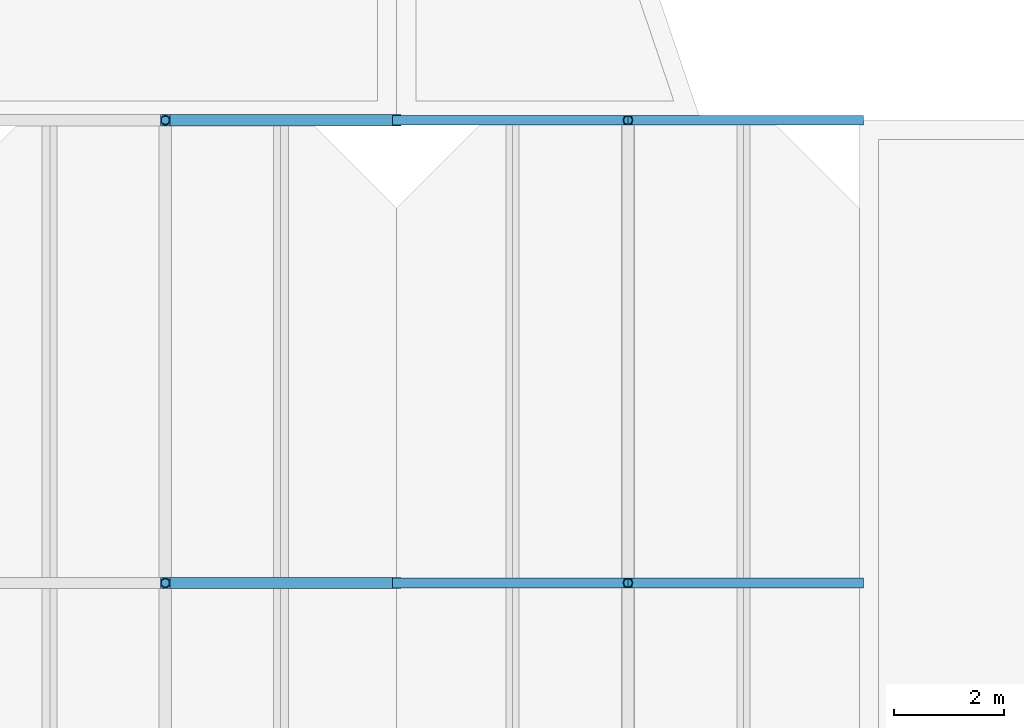
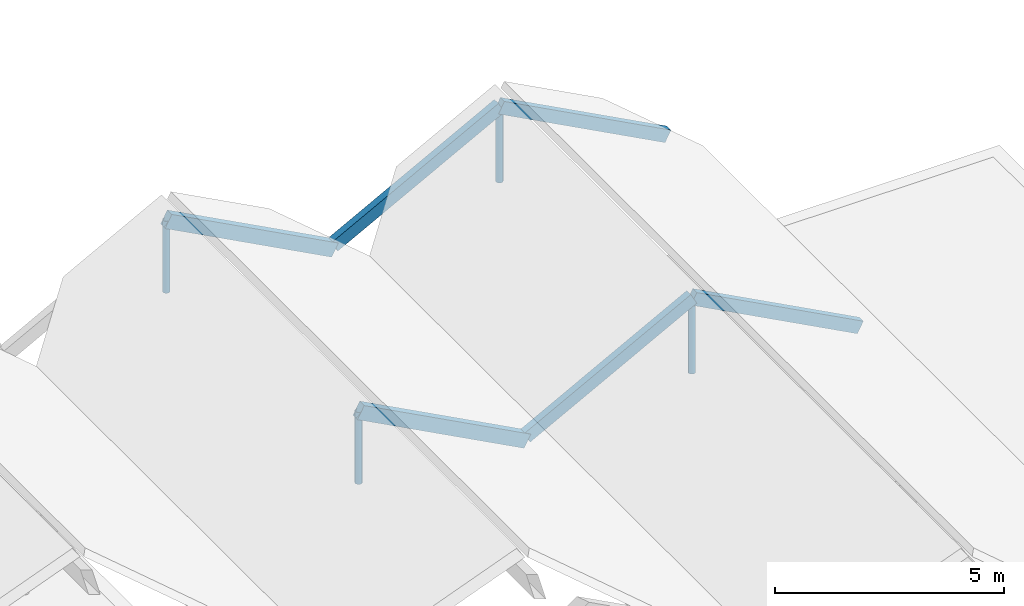
# One storey, part 32 of 82: 10 members.
"""IFC4 building model written with IfcOpenShell, lengths in metres."""

from ifc_helpers import new_model, si_unit, direction, frame, origin, origin_2d, place, context, subcontext, project, spatial, rectangle, hollow_circle, extrude, material, material_profile, profile_set, type_object, element, save


model = new_model("IFC4")

# Units and contexts
model_context = context("Model", 3, precision=1e-05, world=origin(), true_north=direction((0.0, 1.0)))
body_context = subcontext(model_context, "Body", "Model", "MODEL_VIEW")
ifc_project = project(units=[si_unit("LENGTHUNIT", "METRE"), si_unit("AREAUNIT", "SQUARE_METRE"), si_unit("VOLUMEUNIT", "CUBIC_METRE"), si_unit("PLANEANGLEUNIT", "RADIAN"), si_unit("MASSUNIT", "GRAM", prefix="KILO")], contexts=[model_context])

# Site, building, storey
site_placement = place(None, origin())
site = spatial("IfcSite", under=ifc_project, at=site_placement, CompositionType="ELEMENT")
building_placement = place(site_placement, origin())
building = spatial("IfcBuilding", under=site, at=building_placement, Name="Bramfleet General Hospital", CompositionType="ELEMENT")
storey_placement = place(building_placement, frame((0.0, 0.0, 34.199951171875)))
storey = spatial("IfcBuildingStorey", under=building, at=storey_placement, Name="Roof", CompositionType="ELEMENT", Elevation=34.199951171875)

# Members
ifc_material_1 = material(Name="Structural timber GL28h", Category="wood")
ifc_material_profile_1 = material_profile(ifc_material_1, rectangle(XDim=0.179931640625, YDim=0.320068359375, at=origin_2d()), Name="GL28h 320x180")
ifc_profile_set_1 = profile_set([ifc_material_profile_1], Name="Structural timber GL28h")
member_type_1 = type_object("IfcMemberType", Name="MEM-RF-GL320", PredefinedType="RAFTER", material=ifc_profile_set_1)
for number, where, z_axis, x_axis, name in (
    (1, (126.0, 16.800048828125, -0.671875), (0.882947536541, 0.0, 0.469471668705), (0.0, 1.0, 0.0), "Patient House PH-08 West Glulam Rafter 2"),
    (2, (130.199951171875, 16.800048828125, 1.561279296875), (0.882947536541, 0.0, -0.469471668705), (0.0, 1.0, 0.0), "Patient House PH-08 East Glulam Rafter 2"),
    (3, (126.0, 25.199951171875, -0.671875), (0.882947536541, 0.0, 0.469471668705), (0.0, 1.0, 0.0), "Patient House PH-08 West Glulam Rafter 3"),
    (4, (130.199951171875, 25.199951171875, 1.561279296875), (0.882947536541, 0.0, -0.469471668705), (0.0, 1.0, 0.0), "Patient House PH-08 East Glulam Rafter 3"),
):
    element("IfcMember", number, at=place(storey_placement, frame(where, z_axis=z_axis, x_axis=x_axis)), inside=storey, type_object=member_type_1, Name=name, PredefinedType="RAFTER", context=body_context, shape_type="SweptSolid", body=[
        extrude(rectangle(XDim=0.179931640625, YDim=0.320068359375, at=origin_2d()), origin(), (0.0, 0.0, 1.0), 4.7568359375),
    ])
ifc_material_profile_2 = material_profile(ifc_material_1, rectangle(XDim=0.199951171875, YDim=0.360107421875, at=origin_2d()), Name="GL28h 360x200")
ifc_profile_set_2 = profile_set([ifc_material_profile_2], Name="Structural timber GL28h")
member_type_2 = type_object("IfcMemberType", Name="MEM-RF-GL360", PredefinedType="RAFTER", material=ifc_profile_set_2)
for number, where, z_axis, x_axis, name in (
    (5, (121.800048828125, 16.800048828125, 1.476806640625), (0.882947536541, 0.0, -0.469471668705), (0.0, 1.0, 0.0), "Patient House PH-07 East Glulam Rafter 2"),
    (6, (121.800048828125, 25.199951171875, 1.476806640625), (0.882947536541, 0.0, -0.469471668705), (0.0, 1.0, 0.0), "Patient House PH-07 East Glulam Rafter 3"),
):
    element("IfcMember", number, at=place(storey_placement, frame(where, z_axis=z_axis, x_axis=x_axis)), inside=storey, type_object=member_type_2, Name=name, PredefinedType="RAFTER", context=body_context, shape_type="SweptSolid", body=[
        extrude(rectangle(XDim=0.199951171875, YDim=0.360107421875, at=origin_2d()), origin(), (0.0, 0.0, 1.0), 4.7568359375),
    ])
ifc_material_2 = material(Name="Steel S355", Category="steel")
ifc_material_profile_3 = material_profile(ifc_material_2, hollow_circle(Radius=0.084228515625, WallThickness=0.008056640625, at=origin_2d()), Name="CHS 168.3x8.0")
ifc_profile_set_3 = profile_set([ifc_material_profile_3], Name="Steel S355")
member_type_3 = type_object("IfcMemberType", Name="MEM-SF-DG1", PredefinedType="STRUT", material=ifc_profile_set_3)
for number, where, z_axis, x_axis, name in (
    (7, (121.800048828125, 16.800048828125, -0.43994140625), (0.0, 0.0, 1.0), (1.0, 0.0, 0.0), "Patient House PH-07 Ridge Timber Post 2"),
    (8, (121.800048828125, 25.199951171875, -0.43994140625), (0.0, 0.0, 1.0), (1.0, 0.0, 0.0), "Patient House PH-07 Ridge Timber Post 3"),
):
    element("IfcMember", number, at=place(storey_placement, frame(where, z_axis=z_axis, x_axis=x_axis)), inside=storey, type_object=member_type_3, Name=name, PredefinedType="STRUT", context=body_context, shape_type="SweptSolid", body=[
        extrude(hollow_circle(Radius=0.084228515625, WallThickness=0.008056640625, at=origin_2d()), origin(), (0.0, 0.0, 1.0), 1.916748046875),
    ])
for number, where, z_axis, x_axis, name in (
    (9, (130.199951171875, 16.800048828125, -0.43994140625), (0.0, 0.0, 1.0), (1.0, 0.0, 0.0), "Patient House PH-08 Ridge Timber Post 2"),
    (10, (130.199951171875, 25.199951171875, -0.43994140625), (0.0, 0.0, 1.0), (1.0, 0.0, 0.0), "Patient House PH-08 Ridge Timber Post 3"),
):
    element("IfcMember", number, at=place(storey_placement, frame(where, z_axis=z_axis, x_axis=x_axis)), inside=storey, type_object=member_type_3, Name=name, PredefinedType="STRUT", context=body_context, shape_type="SweptSolid", body=[
        extrude(hollow_circle(Radius=0.084228515625, WallThickness=0.008056640625, at=origin_2d()), origin(), (0.0, 0.0, 1.0), 2.001220703125),
    ])

save(model, "model.ifc")
